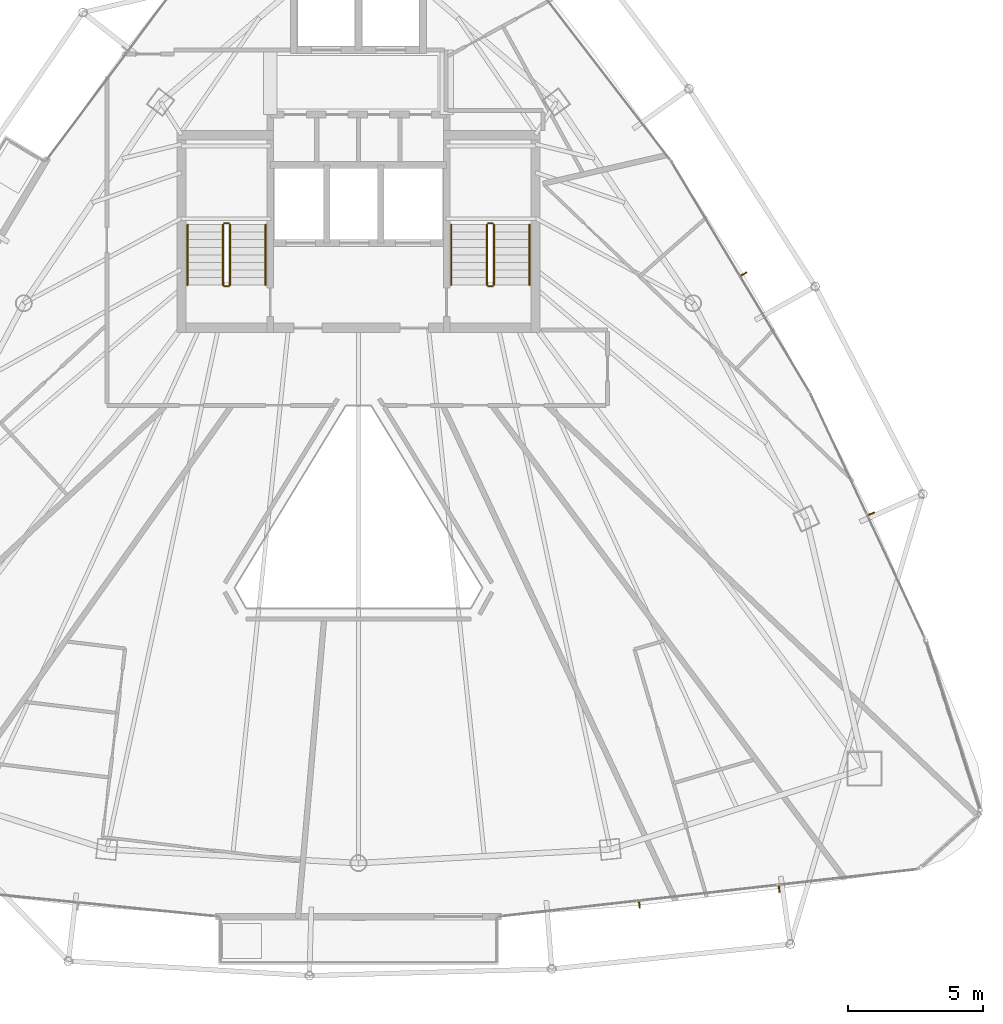
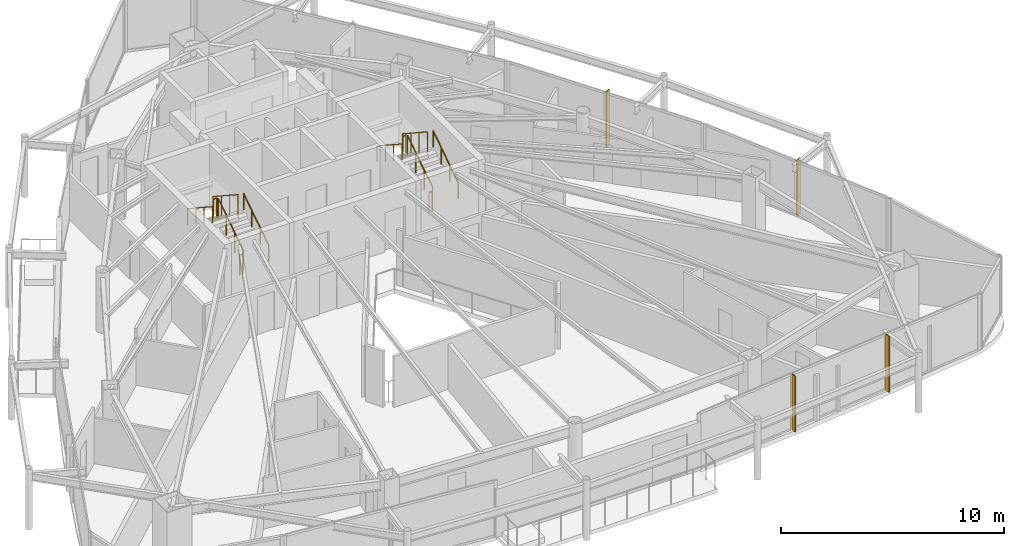
# One storey, part 31 of 32: 12 railings, 4 shading devices.
"""IFC4 building model written with IfcOpenShell, lengths in metres."""

from ifc_helpers import new_model, si_unit, direction, frame, origin, origin_2d, place, context, subcontext, project, spatial, rectangle, circle, extrude, material, layer, layer_set, type_object, element, save


model = new_model("IFC4")

# Units and contexts
model_context = context("Model", 3, precision=1e-05, world=origin(), true_north=direction((0.0, 1.0)))
body_context = subcontext(model_context, "Body", "Model", "MODEL_VIEW")
ifc_project = project(units=[si_unit("LENGTHUNIT", "METRE"), si_unit("AREAUNIT", "SQUARE_METRE"), si_unit("VOLUMEUNIT", "CUBIC_METRE"), si_unit("PLANEANGLEUNIT", "RADIAN"), si_unit("MASSUNIT", "GRAM", prefix="KILO")], contexts=[model_context])

# Site, building, storey
site_placement = place(None, origin())
site = spatial("IfcSite", under=ifc_project, at=site_placement, CompositionType="ELEMENT")
building_placement = place(site_placement, origin())
building = spatial("IfcBuilding", under=site, at=building_placement, Name="Orvanel Arch Residences", CompositionType="ELEMENT")
storey_placement = place(building_placement, frame((0.0, 0.0, 219.5)))
storey = spatial("IfcBuildingStorey", under=building, at=storey_placement, Name="L62", CompositionType="ELEMENT", Elevation=219.5)

# Shading devices
ifc_material_1 = material(Name="Bronze-anodised aluminium AA6063-T6", Category="aluminium")
ifc_layer = layer(ifc_material_1, 0.050048828125)
ifc_layer_set = layer_set([ifc_layer], Name="Bronze-anodised aluminium AA6063-T6")
shading_device_type = type_object("IfcShadingDeviceType", Name="FIN-BRZ-260", PredefinedType="USERDEFINED", material=ifc_layer_set)
for number, where, z_axis, x_axis, name in (
    (1, (43.43505859375, 5.2939453125, 0.0), (0.0, 0.0, 1.0), (0.111468932206, -0.993767919161, 0.0), "L62 Anodised Bronze Mullion FIN 01"),
    (2, (48.626953125, 5.881103515625, 0.0), (0.0, 0.0, 1.0), (0.111468932206, -0.993767919161, 0.0), "L62 Anodised Bronze Mullion FIN 02"),
    (3, (52.048095703125, 19.822021484375, 0.0), (0.0, 0.0, 1.0), (0.905568799011, 0.424199422745, 0.0), "L62 Anodised Bronze Mullion FIN 01"),
    (4, (47.31103515625, 28.72509765625, 0.0), (0.0, 0.0, 1.0), (0.857167300702, 0.51503807491, 0.0), "L62 Anodised Bronze Mullion FIN 01"),
):
    element("IfcShadingDevice", number, at=place(storey_placement, frame(where, z_axis=z_axis, x_axis=x_axis)), inside=storey, type_object=shading_device_type, Name=name, ObjectType="FIN", PredefinedType="USERDEFINED", context=body_context, shape_type="SweptSolid", body=[
        extrude(rectangle(XDim=0.260009765625, YDim=0.050048828125, at=origin_2d()), origin(), (0.0, 0.0, 1.0), 3.06005859375),
    ])

# Railings
ifc_material_2 = material(Name="Structural steel AS/NZS 1163 C350L0 (Grade 350)", Category="steel")
railing_type_1 = type_object("IfcRailingType", Name="RL-STAIR-GUARD", PredefinedType="GUARDRAIL", material=ifc_material_2)
railing_1_placement = place(storey_placement, frame((28.22998046875, 28.320068359375, 0.183349609375)))
element("IfcRailing", 5, at=railing_1_placement, inside=storey, type_object=railing_type_1, Name="L62 ST-1 stair guard 1", PredefinedType="GUARDRAIL", context=body_context, shape_type="SweptSolid", body=[
    extrude(circle(Radius=0.02392578125, at=origin_2d()), frame((0.0, 0.001220703125, 1.076904296875), z_axis=(0.0, 0.836636935527, 0.547757827979), x_axis=(-1.0, 0.0, 0.0)), (0.0, 0.0, 1.0), 2.67431640625),
    extrude(circle(Radius=0.02099609375, at=origin_2d()), origin(), (0.0, 0.0, 1.0), 1.050048828125),
    extrude(circle(Radius=0.02099609375, at=origin_2d()), frame((0.0, 0.74658203125, 0.48876953125)), (0.0, 0.0, 1.0), 1.050048828125),
    extrude(circle(Radius=0.02099609375, at=origin_2d()), frame((0.0, 1.493408203125, 0.977783203125)), (0.0, 0.0, 1.0), 1.050048828125),
    extrude(circle(Radius=0.02099609375, at=origin_2d()), frame((0.0, 2.239990234375, 1.466552734375)), (0.0, 0.0, 1.0), 1.050048828125),
])
railing_2_placement = place(storey_placement, frame((28.179931640625, 30.610107421875, 1.64990234375)))
element("IfcRailing", 6, at=railing_2_placement, inside=storey, type_object=railing_type_1, Name="L62 ST-1 stair guard 2", PredefinedType="GUARDRAIL", context=body_context, shape_type="SweptSolid", body=[
    extrude(circle(Radius=0.02392578125, at=origin_2d()), frame((-0.00146484375, 0.0, 1.076171875), z_axis=(-1.0, 0.0, 0.0), x_axis=(0.0, -1.0, 0.0)), (0.0, 0.0, 1.0), 0.156982421875),
    extrude(circle(Radius=0.02099609375, at=origin_2d()), origin(), (0.0, 0.0, 1.0), 1.050048828125),
    extrude(circle(Radius=0.02099609375, at=origin_2d()), frame((-0.159912109375, 0.0, 0.0)), (0.0, 0.0, 1.0), 1.050048828125),
])
railing_3_placement = place(storey_placement, frame((27.969970703125, 30.56005859375, 1.833251953125)))
element("IfcRailing", 7, at=railing_3_placement, inside=storey, type_object=railing_type_1, Name="L62 ST-1 stair guard 3", PredefinedType="GUARDRAIL", context=body_context, shape_type="SweptSolid", body=[
    extrude(circle(Radius=0.02392578125, at=origin_2d()), frame((0.0, -0.001220703125, 1.076904296875), z_axis=(0.0, -0.836595146698, 0.547821650285), x_axis=(1.0, 0.0, 0.0)), (0.0, 0.0, 1.0), 2.674560546875),
    extrude(circle(Radius=0.02099609375, at=origin_2d()), origin(), (0.0, 0.0, 1.0), 1.050048828125),
    extrude(circle(Radius=0.02099609375, at=origin_2d()), frame((0.0, -0.74658203125, 0.489013671875)), (0.0, 0.0, 1.0), 1.050048828125),
    extrude(circle(Radius=0.02099609375, at=origin_2d()), frame((0.0, -1.493408203125, 0.977783203125)), (0.0, 0.0, 1.0), 1.050048828125),
    extrude(circle(Radius=0.02099609375, at=origin_2d()), frame((0.0, -2.239990234375, 1.466796875)), (0.0, 0.0, 1.0), 1.050048828125),
])
railing_4_placement = place(storey_placement, frame((28.179931640625, 28.27001953125, 0.0)))
element("IfcRailing", 8, at=railing_4_placement, inside=storey, type_object=railing_type_1, Name="L62 ST-1 stair guard 4", PredefinedType="GUARDRAIL", context=body_context, shape_type="SweptSolid", body=[
    extrude(circle(Radius=0.02392578125, at=origin_2d()), frame((-0.00146484375, 0.0, 1.076171875), z_axis=(-1.0, 0.0, 0.0), x_axis=(0.0, -1.0, 0.0)), (0.0, 0.0, 1.0), 0.156982421875),
    extrude(circle(Radius=0.02099609375, at=origin_2d()), origin(), (0.0, 0.0, 1.0), 1.050048828125),
    extrude(circle(Radius=0.02099609375, at=origin_2d()), frame((-0.159912109375, 0.0, 0.0)), (0.0, 0.0, 1.0), 1.050048828125),
])
railing_5_placement = place(storey_placement, frame((38.030029296875, 28.320068359375, 0.183349609375)))
element("IfcRailing", 9, at=railing_5_placement, inside=storey, type_object=railing_type_1, Name="L62 ST-2 stair guard 1", PredefinedType="GUARDRAIL", context=body_context, shape_type="SweptSolid", body=[
    extrude(circle(Radius=0.02392578125, at=origin_2d()), frame((0.0, 0.001220703125, 1.076904296875), z_axis=(0.0, 0.836636935527, 0.547757827979), x_axis=(-1.0, 0.0, 0.0)), (0.0, 0.0, 1.0), 2.67431640625),
    extrude(circle(Radius=0.02099609375, at=origin_2d()), origin(), (0.0, 0.0, 1.0), 1.050048828125),
    extrude(circle(Radius=0.02099609375, at=origin_2d()), frame((0.0, 0.74658203125, 0.48876953125)), (0.0, 0.0, 1.0), 1.050048828125),
    extrude(circle(Radius=0.02099609375, at=origin_2d()), frame((0.0, 1.493408203125, 0.977783203125)), (0.0, 0.0, 1.0), 1.050048828125),
    extrude(circle(Radius=0.02099609375, at=origin_2d()), frame((0.0, 2.239990234375, 1.466552734375)), (0.0, 0.0, 1.0), 1.050048828125),
])
railing_6_placement = place(storey_placement, frame((37.97998046875, 30.610107421875, 1.64990234375)))
element("IfcRailing", 10, at=railing_6_placement, inside=storey, type_object=railing_type_1, Name="L62 ST-2 stair guard 2", PredefinedType="GUARDRAIL", context=body_context, shape_type="SweptSolid", body=[
    extrude(circle(Radius=0.02392578125, at=origin_2d()), frame((-0.00146484375, 0.0, 1.076171875), z_axis=(-1.0, 0.0, 0.0), x_axis=(0.0, -1.0, 0.0)), (0.0, 0.0, 1.0), 0.156982421875),
    extrude(circle(Radius=0.02099609375, at=origin_2d()), origin(), (0.0, 0.0, 1.0), 1.050048828125),
    extrude(circle(Radius=0.02099609375, at=origin_2d()), frame((-0.159912109375, 0.0, 0.0)), (0.0, 0.0, 1.0), 1.050048828125),
])
railing_7_placement = place(storey_placement, frame((37.77001953125, 30.56005859375, 1.833251953125)))
element("IfcRailing", 11, at=railing_7_placement, inside=storey, type_object=railing_type_1, Name="L62 ST-2 stair guard 3", PredefinedType="GUARDRAIL", context=body_context, shape_type="SweptSolid", body=[
    extrude(circle(Radius=0.02392578125, at=origin_2d()), frame((0.0, -0.001220703125, 1.076904296875), z_axis=(0.0, -0.836595146698, 0.547821650285), x_axis=(1.0, 0.0, 0.0)), (0.0, 0.0, 1.0), 2.674560546875),
    extrude(circle(Radius=0.02099609375, at=origin_2d()), origin(), (0.0, 0.0, 1.0), 1.050048828125),
    extrude(circle(Radius=0.02099609375, at=origin_2d()), frame((0.0, -0.74658203125, 0.489013671875)), (0.0, 0.0, 1.0), 1.050048828125),
    extrude(circle(Radius=0.02099609375, at=origin_2d()), frame((0.0, -1.493408203125, 0.977783203125)), (0.0, 0.0, 1.0), 1.050048828125),
    extrude(circle(Radius=0.02099609375, at=origin_2d()), frame((0.0, -2.239990234375, 1.466796875)), (0.0, 0.0, 1.0), 1.050048828125),
])
railing_8_placement = place(storey_placement, frame((37.97998046875, 28.27001953125, 0.0)))
element("IfcRailing", 12, at=railing_8_placement, inside=storey, type_object=railing_type_1, Name="L62 ST-2 stair guard 4", PredefinedType="GUARDRAIL", context=body_context, shape_type="SweptSolid", body=[
    extrude(circle(Radius=0.02392578125, at=origin_2d()), frame((-0.00146484375, 0.0, 1.076171875), z_axis=(-1.0, 0.0, 0.0), x_axis=(0.0, -1.0, 0.0)), (0.0, 0.0, 1.0), 0.156982421875),
    extrude(circle(Radius=0.02099609375, at=origin_2d()), origin(), (0.0, 0.0, 1.0), 1.050048828125),
    extrude(circle(Radius=0.02099609375, at=origin_2d()), frame((-0.159912109375, 0.0, 0.0)), (0.0, 0.0, 1.0), 1.050048828125),
])
railing_type_2 = type_object("IfcRailingType", Name="RL-STAIR-HAND", PredefinedType="HANDRAIL", material=ifc_material_2)
railing_9_placement = place(storey_placement, frame((29.550048828125, 28.320068359375, 0.183349609375)))
element("IfcRailing", 13, at=railing_9_placement, inside=storey, type_object=railing_type_2, Name="L62 ST-1 stair handrail 1", PredefinedType="HANDRAIL", context=body_context, shape_type="SweptSolid", body=[
    extrude(circle(Radius=0.02392578125, at=origin_2d()), frame((0.0, 0.001220703125, 0.876708984375), z_axis=(0.0, 0.836636935527, 0.547757827979), x_axis=(-1.0, 0.0, 0.0)), (0.0, 0.0, 1.0), 2.67431640625),
    extrude(circle(Radius=0.02099609375, at=origin_2d()), origin(), (0.0, 0.0, 1.0), 0.849853515625),
    extrude(circle(Radius=0.02099609375, at=origin_2d()), frame((0.0, 0.74658203125, 0.48876953125)), (0.0, 0.0, 1.0), 0.849853515625),
    extrude(circle(Radius=0.02099609375, at=origin_2d()), frame((0.0, 1.493408203125, 0.977783203125)), (0.0, 0.0, 1.0), 0.849853515625),
    extrude(circle(Radius=0.02099609375, at=origin_2d()), frame((0.0, 2.239990234375, 1.466552734375)), (0.0, 0.0, 1.0), 0.849853515625),
])
railing_10_placement = place(storey_placement, frame((26.64990234375, 30.56005859375, 1.833251953125)))
element("IfcRailing", 14, at=railing_10_placement, inside=storey, type_object=railing_type_2, Name="L62 ST-1 stair handrail 2", PredefinedType="HANDRAIL", context=body_context, shape_type="SweptSolid", body=[
    extrude(circle(Radius=0.02392578125, at=origin_2d()), frame((0.0, -0.001220703125, 0.876708984375), z_axis=(0.0, -0.836595146698, 0.547821650285), x_axis=(1.0, 0.0, 0.0)), (0.0, 0.0, 1.0), 2.674560546875),
    extrude(circle(Radius=0.02099609375, at=origin_2d()), origin(), (0.0, 0.0, 1.0), 0.849853515625),
    extrude(circle(Radius=0.02099609375, at=origin_2d()), frame((0.0, -0.74658203125, 0.489013671875)), (0.0, 0.0, 1.0), 0.849853515625),
    extrude(circle(Radius=0.02099609375, at=origin_2d()), frame((0.0, -1.493408203125, 0.977783203125)), (0.0, 0.0, 1.0), 0.849853515625),
    extrude(circle(Radius=0.02099609375, at=origin_2d()), frame((0.0, -2.239990234375, 1.466796875)), (0.0, 0.0, 1.0), 0.849853515625),
])
railing_11_placement = place(storey_placement, frame((39.35009765625, 28.320068359375, 0.183349609375)))
element("IfcRailing", 15, at=railing_11_placement, inside=storey, type_object=railing_type_2, Name="L62 ST-2 stair handrail 1", PredefinedType="HANDRAIL", context=body_context, shape_type="SweptSolid", body=[
    extrude(circle(Radius=0.02392578125, at=origin_2d()), frame((0.0, 0.001220703125, 0.876708984375), z_axis=(0.0, 0.836636935527, 0.547757827979), x_axis=(-1.0, 0.0, 0.0)), (0.0, 0.0, 1.0), 2.67431640625),
    extrude(circle(Radius=0.02099609375, at=origin_2d()), origin(), (0.0, 0.0, 1.0), 0.849853515625),
    extrude(circle(Radius=0.02099609375, at=origin_2d()), frame((0.0, 0.74658203125, 0.48876953125)), (0.0, 0.0, 1.0), 0.849853515625),
    extrude(circle(Radius=0.02099609375, at=origin_2d()), frame((0.0, 1.493408203125, 0.977783203125)), (0.0, 0.0, 1.0), 0.849853515625),
    extrude(circle(Radius=0.02099609375, at=origin_2d()), frame((0.0, 2.239990234375, 1.466552734375)), (0.0, 0.0, 1.0), 0.849853515625),
])
railing_12_placement = place(storey_placement, frame((36.449951171875, 30.56005859375, 1.833251953125)))
element("IfcRailing", 16, at=railing_12_placement, inside=storey, type_object=railing_type_2, Name="L62 ST-2 stair handrail 2", PredefinedType="HANDRAIL", context=body_context, shape_type="SweptSolid", body=[
    extrude(circle(Radius=0.02392578125, at=origin_2d()), frame((0.0, -0.001220703125, 0.876708984375), z_axis=(0.0, -0.836595146698, 0.547821650285), x_axis=(1.0, 0.0, 0.0)), (0.0, 0.0, 1.0), 2.674560546875),
    extrude(circle(Radius=0.02099609375, at=origin_2d()), origin(), (0.0, 0.0, 1.0), 0.849853515625),
    extrude(circle(Radius=0.02099609375, at=origin_2d()), frame((0.0, -0.74658203125, 0.489013671875)), (0.0, 0.0, 1.0), 0.849853515625),
    extrude(circle(Radius=0.02099609375, at=origin_2d()), frame((0.0, -1.493408203125, 0.977783203125)), (0.0, 0.0, 1.0), 0.849853515625),
    extrude(circle(Radius=0.02099609375, at=origin_2d()), frame((0.0, -2.239990234375, 1.466796875)), (0.0, 0.0, 1.0), 0.849853515625),
])

save(model, "model.ifc")
